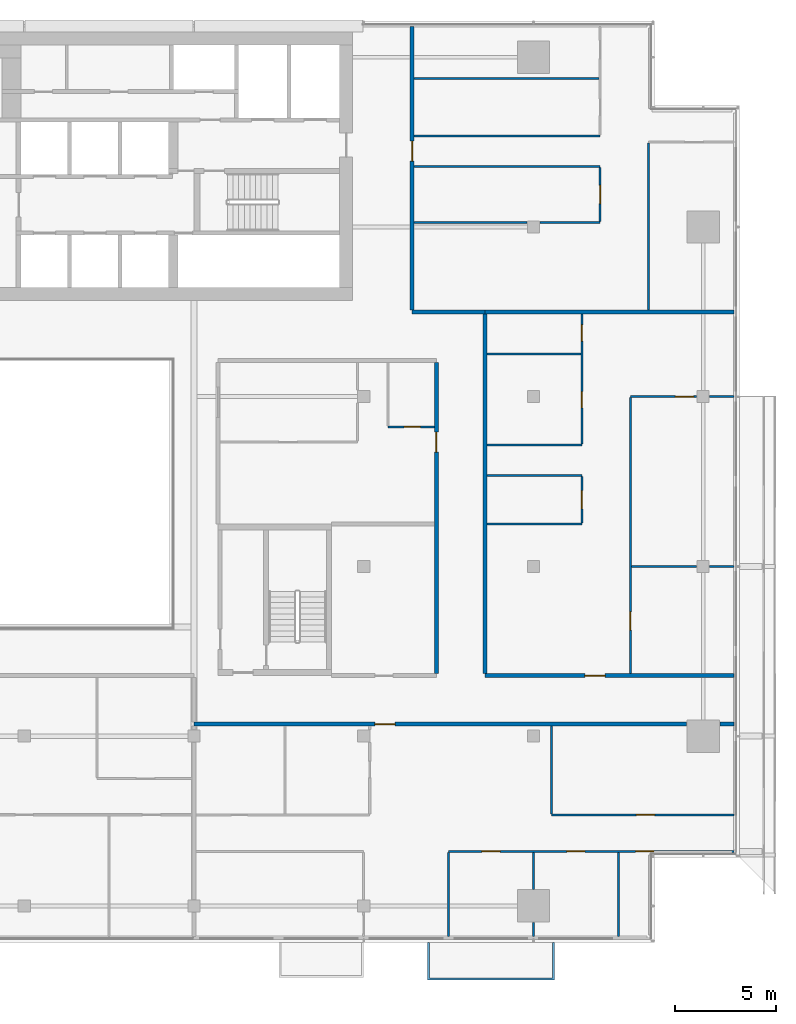
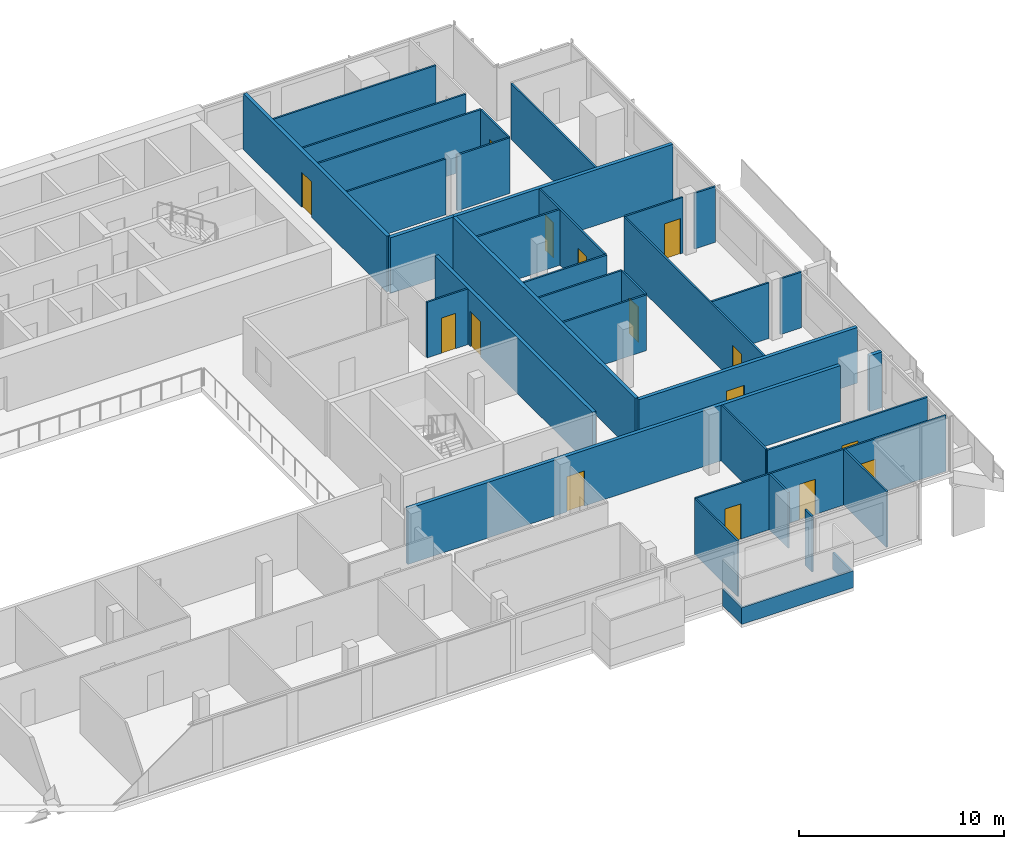
# One storey, part 24 of 29: 35 walls, 15 doors, 15 openings.
"""IFC4 building model written with IfcOpenShell, lengths in metres."""

from ifc_helpers import new_model, si_unit, direction, frame, frame_2d, origin, place, context, subcontext, project, spatial, polyline, rectangle, outline, extrude, material, layer, layer_set, type_object, element, fill, save


model = new_model("IFC4")

# Units and contexts
model_context = context("Model", 3, precision=1e-05, world=origin(), true_north=direction((0.0, 1.0)))
body_context = subcontext(model_context, "Body", "Model", "MODEL_VIEW")
ifc_project = project(units=[si_unit("LENGTHUNIT", "METRE"), si_unit("AREAUNIT", "SQUARE_METRE"), si_unit("VOLUMEUNIT", "CUBIC_METRE"), si_unit("PLANEANGLEUNIT", "RADIAN"), si_unit("MASSUNIT", "GRAM", prefix="KILO")], contexts=[model_context])

# Site, building, storey
site_placement = place(None, origin())
site = spatial("IfcSite", under=ifc_project, at=site_placement, CompositionType="ELEMENT")
building_placement = place(site_placement, origin())
building = spatial("IfcBuilding", under=site, at=building_placement, Name="Saffron Gate Tower", CompositionType="ELEMENT")
storey_placement = place(building_placement, frame((0.0, 0.0, 219.89990234375)))
storey = spatial("IfcBuildingStorey", under=building, at=storey_placement, Name="L53", CompositionType="ELEMENT", Elevation=219.89990234375)

# Wall, openings, doors
ifc_material_1 = material(Name="Plasterboard on steel studs", Category="steel")
ifc_layer_1 = layer(ifc_material_1, 0.10009765625)
ifc_layer_set_1 = layer_set([ifc_layer_1], Name="PW1 Partition 100")
wall_type_1 = type_object("IfcWallType", Name="PW1 Partition 100", PredefinedType="PARTITIONING", material=ifc_layer_set_1)
wall_1_placement = place(storey_placement, frame((126.919921875, 34.5, 0.0), z_axis=(0.0, 0.0, 1.0), x_axis=(-1.0, 0.0, 0.0)))
wall_1 = element("IfcWall", 1, at=wall_1_placement, inside=storey, type_object=wall_type_1, Name="Partition D2-2", PredefinedType="PARTITIONING", context=body_context, shape_type="SweptSolid", body=[
    extrude(rectangle(XDim=14.119873046875, YDim=0.10009765625, at=frame_2d((7.06005859375, 0.0))), origin(), (0.0, 0.0, 1.0), 3.320068359375),
])
opening_1_placement = place(wall_1_placement, frame((3.96630859375, 0.0, 0.0)))
opening_1 = element("IfcOpeningElement", 2, at=opening_1_placement, cuts=wall_1, Name="Opening D2-23", PredefinedType="OPENING", context=body_context, shape_type="SweptSolid", body=[
    extrude(rectangle(XDim=0.89990234375, YDim=2.10009765625, at=frame_2d((0.449951171875, 1.050048828125))), frame((0.0, 0.06005859375, 0.0), z_axis=(0.0, -1.0, 0.0), x_axis=(1.0, 0.0, 0.0)), (0.0, 0.0, 1.0), 0.1201171875),
])
opening_2_placement = place(wall_1_placement, frame((7.3701171875, 0.0, 0.0)))
opening_2 = element("IfcOpeningElement", 3, at=opening_2_placement, cuts=wall_1, Name="Opening D2-22", PredefinedType="OPENING", context=body_context, shape_type="SweptSolid", body=[
    extrude(rectangle(XDim=0.89990234375, YDim=2.10009765625, at=frame_2d((0.449951171875, 1.050048828125))), frame((0.0, 0.06005859375, 0.0), z_axis=(0.0, -1.0, 0.0), x_axis=(1.0, 0.0, 0.0)), (0.0, 0.0, 1.0), 0.1201171875),
])
opening_3_placement = place(wall_1_placement, frame((11.570068359375, 0.0, 0.0)))
opening_3 = element("IfcOpeningElement", 4, at=opening_3_placement, cuts=wall_1, Name="Opening D2-21", PredefinedType="OPENING", context=body_context, shape_type="SweptSolid", body=[
    extrude(rectangle(XDim=0.89990234375, YDim=2.10009765625, at=frame_2d((0.449951171875, 1.050048828125))), frame((0.0, 0.06005859375, 0.0), z_axis=(0.0, -1.0, 0.0), x_axis=(1.0, 0.0, 0.0)), (0.0, 0.0, 1.0), 0.1201171875),
])
ifc_material_2 = material(Name="Timber door set", Category="wood")
door_type_1 = type_object("IfcDoorType", Name="RD1 Room door 900x2100", OperationType="NOTDEFINED", PredefinedType="DOOR", material=ifc_material_2)
door_1_placement = place(opening_1_placement, origin())
door_1 = element("IfcDoor", 5, at=door_1_placement, inside=storey, type_object=door_type_1, Name="Door D2-23", OperationType="SINGLE_SWING_RIGHT", OverallHeight=2.10009765625, OverallWidth=0.89990234375, PredefinedType="DOOR", context=body_context, shape_type="SweptSolid", body=[
    extrude(rectangle(XDim=0.89990234375, YDim=2.10009765625, at=frame_2d((0.449951171875, 1.050048828125))), frame((0.0, 0.02490234375, 0.0), z_axis=(0.0, -1.0, 0.0), x_axis=(1.0, 0.0, 0.0)), (0.0, 0.0, 1.0), 0.050048828125),
])
fill(opening_1, door_1)
door_2_placement = place(opening_2_placement, origin())
door_2 = element("IfcDoor", 6, at=door_2_placement, inside=storey, type_object=door_type_1, Name="Door D2-22", OperationType="SINGLE_SWING_RIGHT", OverallHeight=2.10009765625, OverallWidth=0.89990234375, PredefinedType="DOOR", context=body_context, shape_type="SweptSolid", body=[
    extrude(rectangle(XDim=0.89990234375, YDim=2.10009765625, at=frame_2d((0.449951171875, 1.050048828125))), frame((0.0, 0.02490234375, 0.0), z_axis=(0.0, -1.0, 0.0), x_axis=(1.0, 0.0, 0.0)), (0.0, 0.0, 1.0), 0.050048828125),
])
fill(opening_2, door_2)
door_3_placement = place(opening_3_placement, origin())
door_3 = element("IfcDoor", 7, at=door_3_placement, inside=storey, type_object=door_type_1, Name="Door D2-21", OperationType="SINGLE_SWING_LEFT", OverallHeight=2.10009765625, OverallWidth=0.89990234375, PredefinedType="DOOR", context=body_context, shape_type="SweptSolid", body=[
    extrude(rectangle(XDim=0.89990234375, YDim=2.10009765625, at=frame_2d((0.449951171875, 1.050048828125))), frame((0.0, 0.02490234375, 0.0), z_axis=(0.0, -1.0, 0.0), x_axis=(1.0, 0.0, 0.0)), (0.0, 0.0, 1.0), 0.050048828125),
])
fill(opening_3, door_3)

# Wall, opening, door
wall_2_placement = place(storey_placement, frame((117.89990234375, 36.300048828125, 0.0), z_axis=(0.0, 0.0, 1.0), x_axis=(1.0, 0.0, 0.0)))
wall_2 = element("IfcWall", 8, at=wall_2_placement, inside=storey, type_object=wall_type_1, Name="Partition D2-4", PredefinedType="PARTITIONING", context=body_context, shape_type="SweptSolid", body=[
    extrude(rectangle(XDim=9.02001953125, YDim=0.10009765625, at=frame_2d((4.510009765625, 0.0))), origin(), (0.0, 0.0, 1.0), 3.320068359375),
])
opening_4_placement = place(wall_2_placement, frame((4.199951171875, 0.0, 0.0)))
opening_4 = element("IfcOpeningElement", 9, at=opening_4_placement, cuts=wall_2, Name="Opening D2-24", PredefinedType="OPENING", context=body_context, shape_type="SweptSolid", body=[
    extrude(rectangle(XDim=0.89990234375, YDim=2.10009765625, at=frame_2d((0.449951171875, 1.050048828125))), frame((0.0, 0.06005859375, 0.0), z_axis=(0.0, -1.0, 0.0), x_axis=(1.0, 0.0, 0.0)), (0.0, 0.0, 1.0), 0.1201171875),
])
door_4_placement = place(opening_4_placement, origin())
door_4 = element("IfcDoor", 10, at=door_4_placement, inside=storey, type_object=door_type_1, Name="Door D2-24", OperationType="SINGLE_SWING_RIGHT", OverallHeight=2.10009765625, OverallWidth=0.89990234375, PredefinedType="DOOR", context=body_context, shape_type="SweptSolid", body=[
    extrude(rectangle(XDim=0.89990234375, YDim=2.10009765625, at=frame_2d((0.449951171875, 1.050048828125))), frame((0.0, 0.02490234375, 0.0), z_axis=(0.0, -1.0, 0.0), x_axis=(1.0, 0.0, 0.0)), (0.0, 0.0, 1.0), 0.050048828125),
])
fill(opening_4, door_4)

# Walls
wall_3_placement = place(storey_placement, frame((121.85009765625, 48.60009765625, 0.0), z_axis=(0.0, 0.0, 1.0), x_axis=(1.0, 0.0, 0.0)))
element("IfcWall", 11, at=wall_3_placement, inside=storey, type_object=wall_type_1, Name="Partition D2-21", PredefinedType="PARTITIONING", context=body_context, shape_type="SweptSolid", body=[
    extrude(rectangle(XDim=3.22998046875, YDim=0.10009765625, at=frame_2d((1.614990234375, 0.0))), origin(), (0.0, 0.0, 1.0), 3.320068359375),
])
wall_4_placement = place(storey_placement, frame((125.719970703125, 48.60009765625, 0.0), z_axis=(0.0, 0.0, 1.0), x_axis=(1.0, 0.0, 0.0)))
element("IfcWall", 12, at=wall_4_placement, inside=storey, type_object=wall_type_1, Name="Partition D2-22", PredefinedType="PARTITIONING", context=body_context, shape_type="SweptSolid", body=[
    extrude(rectangle(XDim=1.199951171875, YDim=0.10009765625, at=frame_2d((0.60009765625, 0.0))), origin(), (0.0, 0.0, 1.0), 3.320068359375),
])
for number, where, z_axis, x_axis, name in (
    (13, (114.699951171875, 50.699951171875, 0.0), (0.0, 0.0, 1.0), (1.0, 0.0, 0.0), "Partition D2-26"),
    (14, (114.699951171875, 53.10009765625, 0.0), (0.0, 0.0, 1.0), (1.0, 0.0, 0.0), "Partition D2-28"),
    (15, (114.699951171875, 54.60009765625, 0.0), (0.0, 0.0, 1.0), (1.0, 0.0, 0.0), "Partition D2-29"),
):
    element("IfcWall", number, at=place(storey_placement, frame(where, z_axis=z_axis, x_axis=x_axis)), inside=storey, type_object=wall_type_1, Name=name, PredefinedType="PARTITIONING", context=body_context, shape_type="SweptSolid", body=[
        extrude(rectangle(XDim=4.699951171875, YDim=0.10009765625, at=frame_2d((2.35009765625, 0.0))), origin(), (0.0, 0.0, 1.0), 3.320068359375),
    ])

# Wall, opening, door
wall_5_placement = place(storey_placement, frame((109.800048828125, 55.5, 0.0), z_axis=(0.0, 0.0, 1.0), x_axis=(1.0, 0.0, 0.0)))
wall_5 = element("IfcWall", 16, at=wall_5_placement, inside=storey, type_object=wall_type_1, Name="Partition D2-33", PredefinedType="PARTITIONING", context=body_context, shape_type="SweptSolid", body=[
    extrude(rectangle(XDim=2.300048828125, YDim=0.10009765625, at=frame_2d((1.14990234375, 0.0))), origin(), (0.0, 0.0, 1.0), 3.320068359375),
])
opening_5_placement = place(wall_5_placement, frame((0.800048828125, 0.0, 0.0)))
opening_5 = element("IfcOpeningElement", 17, at=opening_5_placement, cuts=wall_5, Name="Opening D2-53", PredefinedType="OPENING", context=body_context, shape_type="SweptSolid", body=[
    extrude(rectangle(XDim=0.800048828125, YDim=2.10009765625, at=frame_2d((0.39990234375, 1.050048828125))), frame((0.0, 0.06005859375, 0.0), z_axis=(0.0, -1.0, 0.0), x_axis=(1.0, 0.0, 0.0)), (0.0, 0.0, 1.0), 0.1201171875),
])
door_type_2 = type_object("IfcDoorType", Name="RD2 Bathroom door 800x2100", OperationType="NOTDEFINED", PredefinedType="DOOR", material=ifc_material_2)
door_5_placement = place(opening_5_placement, origin())
door_5 = element("IfcDoor", 18, at=door_5_placement, inside=storey, type_object=door_type_2, Name="Door D2-53", OperationType="SINGLE_SWING_RIGHT", OverallHeight=2.10009765625, OverallWidth=0.800048828125, PredefinedType="DOOR", context=body_context, shape_type="SweptSolid", body=[
    extrude(rectangle(XDim=0.800048828125, YDim=2.10009765625, at=frame_2d((0.39990234375, 1.050048828125))), frame((0.0, 0.02490234375, 0.0), z_axis=(0.0, -1.0, 0.0), x_axis=(1.0, 0.0, 0.0)), (0.0, 0.0, 1.0), 0.050048828125),
])
fill(opening_5, door_5)

wall_6_placement = place(storey_placement, frame((125.080078125, 57.0, 0.0), z_axis=(0.0, 0.0, 1.0), x_axis=(-1.0, 0.0, 0.0)))
wall_6 = element("IfcWall", 19, at=wall_6_placement, inside=storey, type_object=wall_type_1, Name="Partition D2-34", PredefinedType="PARTITIONING", context=body_context, shape_type="SweptSolid", body=[
    extrude(rectangle(XDim=3.280029296875, YDim=0.10009765625, at=frame_2d((1.64013671875, 0.0))), origin(), (0.0, 0.0, 1.0), 3.320068359375),
])
opening_6_placement = place(wall_6_placement, frame((0.14990234375, 0.0, 0.0)))
opening_6 = element("IfcOpeningElement", 20, at=opening_6_placement, cuts=wall_6, Name="Opening D2-32", PredefinedType="OPENING", context=body_context, shape_type="SweptSolid", body=[
    extrude(rectangle(XDim=0.89990234375, YDim=2.10009765625, at=frame_2d((0.449951171875, 1.050048828125))), frame((0.0, 0.06005859375, 0.0), z_axis=(0.0, -1.0, 0.0), x_axis=(1.0, 0.0, 0.0)), (0.0, 0.0, 1.0), 0.1201171875),
])
door_6_placement = place(opening_6_placement, origin())
door_6 = element("IfcDoor", 21, at=door_6_placement, inside=storey, type_object=door_type_1, Name="Door D2-32", OperationType="SINGLE_SWING_LEFT", OverallHeight=2.10009765625, OverallWidth=0.89990234375, PredefinedType="DOOR", context=body_context, shape_type="SweptSolid", body=[
    extrude(rectangle(XDim=0.89990234375, YDim=2.10009765625, at=frame_2d((0.449951171875, 1.050048828125))), frame((0.0, 0.02490234375, 0.0), z_axis=(0.0, -1.0, 0.0), x_axis=(1.0, 0.0, 0.0)), (0.0, 0.0, 1.0), 0.050048828125),
])
fill(opening_6, door_6)

# Walls
wall_7_placement = place(storey_placement, frame((125.719970703125, 57.0, 0.0), z_axis=(0.0, 0.0, 1.0), x_axis=(1.0, 0.0, 0.0)))
element("IfcWall", 22, at=wall_7_placement, inside=storey, type_object=wall_type_1, Name="Partition D2-35", PredefinedType="PARTITIONING", context=body_context, shape_type="SweptSolid", body=[
    extrude(rectangle(XDim=1.199951171875, YDim=0.10009765625, at=frame_2d((0.60009765625, 0.0))), origin(), (0.0, 0.0, 1.0), 3.320068359375),
])
wall_8_placement = place(storey_placement, frame((114.699951171875, 59.10009765625, 0.0), z_axis=(0.0, 0.0, 1.0), x_axis=(1.0, 0.0, 0.0)))
element("IfcWall", 23, at=wall_8_placement, inside=storey, type_object=wall_type_1, Name="Partition D2-39", PredefinedType="PARTITIONING", context=body_context, shape_type="SweptSolid", body=[
    extrude(rectangle(XDim=4.650146484375, YDim=0.10009765625, at=frame_2d((2.3251953125, 0.0))), origin(), (0.0, 0.0, 1.0), 3.320068359375),
])
wall_9_placement = place(storey_placement, frame((111.10009765625, 65.608642578125, 0.0), z_axis=(0.0, 0.0, 1.0), x_axis=(1.0, 0.0, 0.0)))
element("IfcWall", 24, at=wall_9_placement, inside=storey, type_object=wall_type_1, Name="Partition D2-46", PredefinedType="PARTITIONING", context=body_context, shape_type="SweptSolid", body=[
    extrude(rectangle(XDim=5.579833984375, YDim=0.10009765625, at=frame_2d((2.7900390625, 0.0))), origin(), (0.0, 0.0, 1.0), 3.320068359375),
])
wall_10_placement = place(storey_placement, frame((117.320068359375, 65.608642578125, 0.0), z_axis=(0.0, 0.0, 1.0), x_axis=(1.0, 0.0, 0.0)))
element("IfcWall", 25, at=wall_10_placement, inside=storey, type_object=wall_type_1, Name="Partition D2-47", PredefinedType="PARTITIONING", context=body_context, shape_type="SweptSolid", body=[
    extrude(rectangle(XDim=2.97998046875, YDim=0.10009765625, at=frame_2d((1.489990234375, 0.0))), origin(), (0.0, 0.0, 1.0), 3.320068359375),
])
for number, where, z_axis, x_axis, name in (
    (26, (111.10009765625, 68.39990234375, 0.0), (0.0, 0.0, 1.0), (1.0, 0.0, 0.0), "Partition D2-49"),
    (27, (111.10009765625, 69.89990234375, 0.0), (0.0, 0.0, 1.0), (1.0, 0.0, 0.0), "Partition D2-53"),
):
    element("IfcWall", number, at=place(storey_placement, frame(where, z_axis=z_axis, x_axis=x_axis)), inside=storey, type_object=wall_type_1, Name=name, PredefinedType="PARTITIONING", context=body_context, shape_type="SweptSolid", body=[
        extrude(rectangle(XDim=9.199951171875, YDim=0.10009765625, at=frame_2d((4.60009765625, 0.0))), origin(), (0.0, 0.0, 1.0), 3.320068359375),
    ])
wall_11_placement = place(storey_placement, frame((111.10009765625, 72.74951171875, 0.0), z_axis=(0.0, 0.0, 1.0), x_axis=(1.0, 0.0, 0.0)))
element("IfcWall", 28, at=wall_11_placement, inside=storey, type_object=wall_type_1, Name="Partition D2-55", PredefinedType="PARTITIONING", context=body_context, shape_type="SweptSolid", body=[
    extrude(rectangle(XDim=9.14990234375, YDim=0.10009765625, at=frame_2d((4.574951171875, 0.0))), origin(), (0.0, 0.0, 1.0), 3.320068359375),
])
wall_12_placement = place(storey_placement, frame((112.800048828125, 34.449951171875, 0.0), z_axis=(0.0, 0.0, 1.0), x_axis=(0.0, -1.0, 0.0)))
element("IfcWall", 29, at=wall_12_placement, inside=storey, type_object=wall_type_1, Name="Partition D2-105", PredefinedType="PARTITIONING", context=body_context, shape_type="SweptSolid", body=[
    extrude(rectangle(XDim=4.169921875, YDim=0.10009765625, at=frame_2d((2.0849609375, 0.0))), origin(), (0.0, 0.0, 1.0), 3.320068359375),
])
wall_13_placement = place(storey_placement, frame((117.0, 30.97998046875, 0.0), z_axis=(0.0, 0.0, 1.0), x_axis=(0.0, -1.0, 0.0)))
element("IfcWall", 30, at=wall_13_placement, inside=storey, type_object=wall_type_1, Name="Partition D2-107", PredefinedType="PARTITIONING", context=body_context, shape_type="SweptSolid", body=[
    extrude(rectangle(XDim=0.699951171875, YDim=0.10009765625, at=frame_2d((0.35009765625, 0.0))), origin(), (0.0, 0.0, 1.0), 3.320068359375),
])
wall_14_placement = place(storey_placement, frame((117.0, 34.449951171875, 0.0), z_axis=(0.0, 0.0, 1.0), x_axis=(0.0, -1.0, 0.0)))
element("IfcWall", 31, at=wall_14_placement, inside=storey, type_object=wall_type_1, Name="Partition D2-108", PredefinedType="PARTITIONING", context=body_context, shape_type="SweptSolid", body=[
    extrude(rectangle(XDim=1.829833984375, YDim=0.10009765625, at=frame_2d((0.9150390625, 0.0))), origin(), (0.0, 0.0, 1.0), 3.320068359375),
])
wall_15_placement = place(storey_placement, frame((117.89990234375, 40.699951171875, 0.0), z_axis=(0.0, 0.0, 1.0), x_axis=(0.0, -1.0, 0.0)))
element("IfcWall", 32, at=wall_15_placement, inside=storey, type_object=wall_type_1, Name="Partition D2-109", PredefinedType="PARTITIONING", context=body_context, shape_type="SweptSolid", body=[
    extrude(rectangle(XDim=4.349853515625, YDim=0.10009765625, at=frame_2d((2.1748046875, 0.0))), origin(), (0.0, 0.0, 1.0), 3.320068359375),
])

# Wall, opening, door
wall_16_placement = place(storey_placement, frame((119.39990234375, 50.75, 0.0), z_axis=(0.0, 0.0, 1.0), x_axis=(0.0, 1.0, 0.0)))
wall_16 = element("IfcWall", 33, at=wall_16_placement, inside=storey, type_object=wall_type_1, Name="Partition D2-110", PredefinedType="PARTITIONING", context=body_context, shape_type="SweptSolid", body=[
    extrude(rectangle(XDim=2.300048828125, YDim=0.10009765625, at=frame_2d((1.14990234375, 0.0))), origin(), (0.0, 0.0, 1.0), 3.320068359375),
])
opening_7_placement = place(wall_16_placement, frame((0.699951171875, 0.0, 0.0)))
opening_7 = element("IfcOpeningElement", 34, at=opening_7_placement, cuts=wall_16, Name="Opening D2-33", PredefinedType="OPENING", context=body_context, shape_type="SweptSolid", body=[
    extrude(rectangle(XDim=0.89990234375, YDim=2.10009765625, at=frame_2d((0.449951171875, 1.050048828125))), frame((0.0, 0.06005859375, 0.0), z_axis=(0.0, -1.0, 0.0), x_axis=(1.0, 0.0, 0.0)), (0.0, 0.0, 1.0), 0.1201171875),
])
door_7_placement = place(opening_7_placement, origin())
door_7 = element("IfcDoor", 35, at=door_7_placement, inside=storey, type_object=door_type_1, Name="Door D2-33", OperationType="SINGLE_SWING_LEFT", OverallHeight=2.10009765625, OverallWidth=0.89990234375, PredefinedType="DOOR", context=body_context, shape_type="SweptSolid", body=[
    extrude(rectangle(XDim=0.89990234375, YDim=2.10009765625, at=frame_2d((0.449951171875, 1.050048828125))), frame((0.0, 0.02490234375, 0.0), z_axis=(0.0, -1.0, 0.0), x_axis=(1.0, 0.0, 0.0)), (0.0, 0.0, 1.0), 0.050048828125),
])
fill(opening_7, door_7)

# Wall, openings, doors
wall_17_placement = place(storey_placement, frame((119.39990234375, 54.64990234375, 0.0), z_axis=(0.0, 0.0, 1.0), x_axis=(0.0, 1.0, 0.0)))
wall_17 = element("IfcWall", 36, at=wall_17_placement, inside=storey, type_object=wall_type_1, Name="Partition D2-111", PredefinedType="PARTITIONING", context=body_context, shape_type="SweptSolid", body=[
    extrude(rectangle(XDim=6.4501953125, YDim=0.10009765625, at=frame_2d((3.22509765625, 0.0))), origin(), (0.0, 0.0, 1.0), 3.320068359375),
])
opening_8_placement = place(wall_17_placement, frame((1.800048828125, 0.0, 0.0)))
opening_8 = element("IfcOpeningElement", 37, at=opening_8_placement, cuts=wall_17, Name="Opening D2-49", PredefinedType="OPENING", context=body_context, shape_type="SweptSolid", body=[
    extrude(rectangle(XDim=0.800048828125, YDim=2.10009765625, at=frame_2d((0.39990234375, 1.050048828125))), frame((0.0, 0.06005859375, 0.0), z_axis=(0.0, -1.0, 0.0), x_axis=(1.0, 0.0, 0.0)), (0.0, 0.0, 1.0), 0.1201171875),
])
opening_9_placement = place(wall_17_placement, frame((5.10009765625, 0.0, 0.0)))
opening_9 = element("IfcOpeningElement", 38, at=opening_9_placement, cuts=wall_17, Name="Opening D2-50", PredefinedType="OPENING", context=body_context, shape_type="SweptSolid", body=[
    extrude(rectangle(XDim=0.800048828125, YDim=2.10009765625, at=frame_2d((0.39990234375, 1.050048828125))), frame((0.0, 0.06005859375, 0.0), z_axis=(0.0, -1.0, 0.0), x_axis=(1.0, 0.0, 0.0)), (0.0, 0.0, 1.0), 0.1201171875),
])
door_8_placement = place(opening_8_placement, origin())
door_8 = element("IfcDoor", 39, at=door_8_placement, inside=storey, type_object=door_type_2, Name="Door D2-49", OperationType="SINGLE_SWING_LEFT", OverallHeight=2.10009765625, OverallWidth=0.800048828125, PredefinedType="DOOR", context=body_context, shape_type="SweptSolid", body=[
    extrude(rectangle(XDim=0.800048828125, YDim=2.10009765625, at=frame_2d((0.39990234375, 1.050048828125))), frame((0.0, 0.02490234375, 0.0), z_axis=(0.0, -1.0, 0.0), x_axis=(1.0, 0.0, 0.0)), (0.0, 0.0, 1.0), 0.050048828125),
])
fill(opening_8, door_8)
door_9_placement = place(opening_9_placement, origin())
door_9 = element("IfcDoor", 40, at=door_9_placement, inside=storey, type_object=door_type_2, Name="Door D2-50", OperationType="SINGLE_SWING_RIGHT", OverallHeight=2.10009765625, OverallWidth=0.800048828125, PredefinedType="DOOR", context=body_context, shape_type="SweptSolid", body=[
    extrude(rectangle(XDim=0.800048828125, YDim=2.10009765625, at=frame_2d((0.39990234375, 1.050048828125))), frame((0.0, 0.02490234375, 0.0), z_axis=(0.0, -1.0, 0.0), x_axis=(1.0, 0.0, 0.0)), (0.0, 0.0, 1.0), 0.050048828125),
])
fill(opening_9, door_9)

# Wall, opening, door
wall_18_placement = place(storey_placement, frame((120.300048828125, 65.65869140625, 0.0), z_axis=(0.0, 0.0, 1.0), x_axis=(0.0, 1.0, 0.0)))
wall_18 = element("IfcWall", 41, at=wall_18_placement, inside=storey, type_object=wall_type_1, Name="Partition D2-112", PredefinedType="PARTITIONING", context=body_context, shape_type="SweptSolid", body=[
    extrude(rectangle(XDim=2.69140625, YDim=0.10009765625, at=frame_2d((1.345703125, 0.0))), origin(), (0.0, 0.0, 1.0), 3.320068359375),
])
opening_10_placement = place(wall_18_placement, frame((0.895751953125, 0.0, 0.0)))
opening_10 = element("IfcOpeningElement", 42, at=opening_10_placement, cuts=wall_18, Name="Opening D2-35", PredefinedType="OPENING", context=body_context, shape_type="SweptSolid", body=[
    extrude(rectangle(XDim=0.89990234375, YDim=2.10009765625, at=frame_2d((0.449951171875, 1.050048828125))), frame((0.0, 0.06005859375, 0.0), z_axis=(0.0, -1.0, 0.0), x_axis=(1.0, 0.0, 0.0)), (0.0, 0.0, 1.0), 0.1201171875),
])
door_10_placement = place(opening_10_placement, origin())
door_10 = element("IfcDoor", 43, at=door_10_placement, inside=storey, type_object=door_type_1, Name="Door D2-35", OperationType="SINGLE_SWING_LEFT", OverallHeight=2.10009765625, OverallWidth=0.89990234375, PredefinedType="DOOR", context=body_context, shape_type="SweptSolid", body=[
    extrude(rectangle(XDim=0.89990234375, YDim=2.10009765625, at=frame_2d((0.449951171875, 1.050048828125))), frame((0.0, 0.02490234375, 0.0), z_axis=(0.0, -1.0, 0.0), x_axis=(1.0, 0.0, 0.0)), (0.0, 0.0, 1.0), 0.050048828125),
])
fill(opening_10, door_10)

# Wall
wall_19_placement = place(storey_placement, frame((121.199951171875, 34.449951171875, 0.0), z_axis=(0.0, 0.0, 1.0), x_axis=(0.0, -1.0, 0.0)))
element("IfcWall", 44, at=wall_19_placement, inside=storey, type_object=wall_type_1, Name="Partition D2-114", PredefinedType="PARTITIONING", context=body_context, shape_type="SweptSolid", body=[
    extrude(rectangle(XDim=4.169921875, YDim=0.10009765625, at=frame_2d((2.0849609375, 0.0))), origin(), (0.0, 0.0, 1.0), 3.320068359375),
])

# Wall, opening, door
wall_20_placement = place(storey_placement, frame((121.800048828125, 56.949951171875, 0.0), z_axis=(0.0, 0.0, 1.0), x_axis=(0.0, -1.0, 0.0)))
wall_20 = element("IfcWall", 45, at=wall_20_placement, inside=storey, type_object=wall_type_1, Name="Partition D2-115", PredefinedType="PARTITIONING", context=body_context, shape_type="SweptSolid", body=[
    extrude(rectangle(XDim=13.64990234375, YDim=0.10009765625, at=frame_2d((6.824951171875, 0.0))), origin(), (0.0, 0.0, 1.0), 3.320068359375),
])
opening_11_placement = place(wall_20_placement, frame((10.60009765625, 0.0, 0.0)))
opening_11 = element("IfcOpeningElement", 46, at=opening_11_placement, cuts=wall_20, Name="Opening D2-31", PredefinedType="OPENING", context=body_context, shape_type="SweptSolid", body=[
    extrude(rectangle(XDim=0.89990234375, YDim=2.10009765625, at=frame_2d((0.449951171875, 1.050048828125))), frame((0.0, 0.06005859375, 0.0), z_axis=(0.0, -1.0, 0.0), x_axis=(1.0, 0.0, 0.0)), (0.0, 0.0, 1.0), 0.1201171875),
])
door_11_placement = place(opening_11_placement, origin())
door_11 = element("IfcDoor", 47, at=door_11_placement, inside=storey, type_object=door_type_1, Name="Door D2-31", OperationType="SINGLE_SWING_RIGHT", OverallHeight=2.10009765625, OverallWidth=0.89990234375, PredefinedType="DOOR", context=body_context, shape_type="SweptSolid", body=[
    extrude(rectangle(XDim=0.89990234375, YDim=2.10009765625, at=frame_2d((0.449951171875, 1.050048828125))), frame((0.0, 0.02490234375, 0.0), z_axis=(0.0, -1.0, 0.0), x_axis=(1.0, 0.0, 0.0)), (0.0, 0.0, 1.0), 0.050048828125),
])
fill(opening_11, door_11)

# Walls
wall_21_placement = place(storey_placement, frame((122.699951171875, 69.550048828125, 0.0), z_axis=(0.0, 0.0, 1.0), x_axis=(0.0, -1.0, 0.0)))
element("IfcWall", 48, at=wall_21_placement, inside=storey, type_object=wall_type_1, Name="Partition D2-116", PredefinedType="PARTITIONING", context=body_context, shape_type="SweptSolid", body=[
    extrude(rectangle(XDim=8.25, YDim=0.10009765625, at=frame_2d((4.125, 0.0))), origin(), (0.0, 0.0, 1.0), 3.320068359375),
])
ifc_material_3 = material(Name="Clay brick masonry, rendered", Category="masonry")
ifc_layer_2 = layer(ifc_material_3, 0.199951171875)
ifc_layer_set_2 = layer_set([ifc_layer_2], Name="PW2 Demising wall 200")
wall_type_2 = type_object("IfcWallType", Name="PW2 Demising wall 200", PredefinedType="PARTITIONING", material=ifc_layer_set_2)
wall_22_placement = place(storey_placement, frame((114.60009765625, 61.199951171875, 0.0), z_axis=(0.0, 0.0, 1.0), x_axis=(1.0, 0.0, 0.0)))
element("IfcWall", 49, at=wall_22_placement, inside=storey, type_object=wall_type_2, Name="Wall D2-43", PredefinedType="PARTITIONING", context=body_context, shape_type="SweptSolid", body=[
    extrude(rectangle(XDim=12.31982421875, YDim=0.199951171875, at=frame_2d((6.159912109375, 0.0))), origin(), (0.0, 0.0, 1.0), 3.320068359375),
])

# Wall, opening, door
ifc_layer_3 = layer(ifc_material_3, 0.199951171875)
ifc_layer_set_3 = layer_set([ifc_layer_3], Name="PW3 Corridor wall 200")
wall_type_3 = type_object("IfcWallType", Name="PW3 Corridor wall 200", PredefinedType="PARTITIONING", material=ifc_layer_set_3)
wall_23_placement = place(storey_placement, frame((124.580078125, 40.800048828125, 0.0), z_axis=(0.0, 0.0, 1.0), x_axis=(-1.0, 0.0, 0.0)))
wall_23 = element("IfcWall", 50, at=wall_23_placement, inside=storey, type_object=wall_type_3, Name="Wall D2-11", PredefinedType="PARTITIONING", context=body_context, shape_type="SweptSolid", body=[
    extrude(rectangle(XDim=24.380126953125, YDim=0.199951171875, at=frame_2d((12.18994140625, 0.0))), origin(), (0.0, 0.0, 1.0), 3.320068359375),
])
opening_12_placement = place(wall_23_placement, frame((14.429931640625, 0.0, 0.0)))
opening_12 = element("IfcOpeningElement", 51, at=opening_12_placement, cuts=wall_23, Name="Opening D2-3", PredefinedType="OPENING", context=body_context, shape_type="SweptSolid", body=[
    extrude(rectangle(XDim=1.0, YDim=2.10009765625, at=frame_2d((0.5, 1.050048828125))), frame((0.0, 0.10986328125, 0.0), z_axis=(0.0, -1.0, 0.0), x_axis=(1.0, 0.0, 0.0)), (0.0, 0.0, 1.0), 0.219970703125),
])
ifc_material_4 = material(Name="Timber fire door set", Category="wood")
door_type_3 = type_object("IfcDoorType", Name="FD1 Flat entry door 1000x2100", OperationType="NOTDEFINED", PredefinedType="DOOR", material=ifc_material_4)
door_12_placement = place(opening_12_placement, origin())
door_12 = element("IfcDoor", 52, at=door_12_placement, inside=storey, type_object=door_type_3, Name="Door D2-3", OperationType="SINGLE_SWING_RIGHT", OverallHeight=2.10009765625, OverallWidth=1.0, PredefinedType="DOOR", context=body_context, shape_type="SweptSolid", body=[
    extrude(rectangle(XDim=1.0, YDim=2.10009765625, at=frame_2d((0.5, 1.050048828125))), frame((0.0, 0.02490234375, 0.0), z_axis=(0.0, -1.0, 0.0), x_axis=(1.0, 0.0, 0.0)), (0.0, 0.0, 1.0), 0.050048828125),
])
fill(opening_12, door_12)

# Wall
wall_24_placement = place(storey_placement, frame((126.219970703125, 40.800048828125, 0.0), z_axis=(0.0, 0.0, 1.0), x_axis=(1.0, 0.0, 0.0)))
element("IfcWall", 53, at=wall_24_placement, inside=storey, type_object=wall_type_3, Name="Wall D2-12", PredefinedType="PARTITIONING", context=body_context, shape_type="SweptSolid", body=[
    extrude(rectangle(XDim=0.699951171875, YDim=0.199951171875, at=frame_2d((0.35009765625, 0.0))), origin(), (0.0, 0.0, 1.0), 3.320068359375),
])

# Wall, opening, door
wall_25_placement = place(storey_placement, frame((114.60009765625, 43.199951171875, 0.0), z_axis=(0.0, 0.0, 1.0), x_axis=(1.0, 0.0, 0.0)))
wall_25 = element("IfcWall", 54, at=wall_25_placement, inside=storey, type_object=wall_type_3, Name="Wall D2-17", PredefinedType="PARTITIONING", context=body_context, shape_type="SweptSolid", body=[
    extrude(rectangle(XDim=12.31982421875, YDim=0.199951171875, at=frame_2d((6.159912109375, 0.0))), origin(), (0.0, 0.0, 1.0), 3.320068359375),
])
opening_13_placement = place(wall_25_placement, frame((4.949951171875, 0.0, 0.0)))
opening_13 = element("IfcOpeningElement", 55, at=opening_13_placement, cuts=wall_25, Name="Opening D2-6", PredefinedType="OPENING", context=body_context, shape_type="SweptSolid", body=[
    extrude(rectangle(XDim=1.0, YDim=2.10009765625, at=frame_2d((0.5, 1.050048828125))), frame((0.0, 0.10986328125, 0.0), z_axis=(0.0, -1.0, 0.0), x_axis=(1.0, 0.0, 0.0)), (0.0, 0.0, 1.0), 0.219970703125),
])
door_13_placement = place(opening_13_placement, origin())
door_13 = element("IfcDoor", 56, at=door_13_placement, inside=storey, type_object=door_type_3, Name="Door D2-6", OperationType="SINGLE_SWING_LEFT", OverallHeight=2.10009765625, OverallWidth=1.0, PredefinedType="DOOR", context=body_context, shape_type="SweptSolid", body=[
    extrude(rectangle(XDim=1.0, YDim=2.10009765625, at=frame_2d((0.5, 1.050048828125))), frame((0.0, 0.02490234375, 0.0), z_axis=(0.0, -1.0, 0.0), x_axis=(1.0, 0.0, 0.0)), (0.0, 0.0, 1.0), 0.050048828125),
])
fill(opening_13, door_13)

# Wall
wall_26_placement = place(storey_placement, frame((111.0, 61.199951171875, 0.0), z_axis=(0.0, 0.0, 1.0), x_axis=(1.0, 0.0, 0.0)))
element("IfcWall", 57, at=wall_26_placement, inside=storey, type_object=wall_type_3, Name="Wall D2-41", PredefinedType="PARTITIONING", context=body_context, shape_type="SweptSolid", body=[
    extrude(rectangle(XDim=3.60009765625, YDim=0.199951171875, at=frame_2d((1.800048828125, 0.0))), origin(), (0.0, 0.0, 1.0), 3.320068359375),
])

# Wall, opening, door
wall_27_placement = place(storey_placement, frame((111.0, 75.320068359375, 0.0), z_axis=(0.0, 0.0, 1.0), x_axis=(0.0, -1.0, 0.0)))
wall_27 = element("IfcWall", 58, at=wall_27_placement, inside=storey, type_object=wall_type_3, Name="Wall D2-103", PredefinedType="PARTITIONING", context=body_context, shape_type="SweptSolid", body=[
    extrude(rectangle(XDim=14.02001953125, YDim=0.199951171875, at=frame_2d((7.010009765625, 0.0))), origin(), (0.0, 0.0, 1.0), 3.320068359375),
])
opening_14_placement = place(wall_27_placement, frame((5.669921875, 0.0, 0.0)))
opening_14 = element("IfcOpeningElement", 59, at=opening_14_placement, cuts=wall_27, Name="Opening D2-7", PredefinedType="OPENING", context=body_context, shape_type="SweptSolid", body=[
    extrude(rectangle(XDim=1.0, YDim=2.10009765625, at=frame_2d((0.5, 1.050048828125))), frame((0.0, 0.10986328125, 0.0), z_axis=(0.0, -1.0, 0.0), x_axis=(1.0, 0.0, 0.0)), (0.0, 0.0, 1.0), 0.219970703125),
])
door_14_placement = place(opening_14_placement, origin())
door_14 = element("IfcDoor", 60, at=door_14_placement, inside=storey, type_object=door_type_3, Name="Door D2-7", OperationType="SINGLE_SWING_RIGHT", OverallHeight=2.10009765625, OverallWidth=1.0, PredefinedType="DOOR", context=body_context, shape_type="SweptSolid", body=[
    extrude(rectangle(XDim=1.0, YDim=2.10009765625, at=frame_2d((0.5, 1.050048828125))), frame((0.0, 0.02490234375, 0.0), z_axis=(0.0, -1.0, 0.0), x_axis=(1.0, 0.0, 0.0)), (0.0, 0.0, 1.0), 0.050048828125),
])
fill(opening_14, door_14)

wall_28_placement = place(storey_placement, frame((112.199951171875, 43.300048828125, 0.0), z_axis=(0.0, 0.0, 1.0), x_axis=(0.0, 1.0, 0.0)))
wall_28 = element("IfcWall", 61, at=wall_28_placement, inside=storey, type_object=wall_type_3, Name="Wall D2-104", PredefinedType="PARTITIONING", context=body_context, shape_type="SweptSolid", body=[
    extrude(rectangle(XDim=15.39990234375, YDim=0.199951171875, at=frame_2d((7.699951171875, 0.0))), origin(), (0.0, 0.0, 1.0), 3.320068359375),
])
opening_15_placement = place(wall_28_placement, frame((10.949951171875, 0.0, 0.0)))
opening_15 = element("IfcOpeningElement", 62, at=opening_15_placement, cuts=wall_28, Name="Opening D2-9", PredefinedType="OPENING", context=body_context, shape_type="SweptSolid", body=[
    extrude(rectangle(XDim=1.0, YDim=2.10009765625, at=frame_2d((0.5, 1.050048828125))), frame((0.0, 0.10986328125, 0.0), z_axis=(0.0, -1.0, 0.0), x_axis=(1.0, 0.0, 0.0)), (0.0, 0.0, 1.0), 0.219970703125),
])
door_15_placement = place(opening_15_placement, origin())
door_15 = element("IfcDoor", 63, at=door_15_placement, inside=storey, type_object=door_type_3, Name="Door D2-9", OperationType="SINGLE_SWING_RIGHT", OverallHeight=2.10009765625, OverallWidth=1.0, PredefinedType="DOOR", context=body_context, shape_type="SweptSolid", body=[
    extrude(rectangle(XDim=1.0, YDim=2.10009765625, at=frame_2d((0.5, 1.050048828125))), frame((0.0, 0.02490234375, 0.0), z_axis=(0.0, -1.0, 0.0), x_axis=(1.0, 0.0, 0.0)), (0.0, 0.0, 1.0), 0.050048828125),
])
fill(opening_15, door_15)

# Walls
wall_29_placement = place(storey_placement, frame((114.60009765625, 61.10009765625, 0.0), z_axis=(0.0, 0.0, 1.0), x_axis=(0.0, -1.0, 0.0)))
element("IfcWall", 64, at=wall_29_placement, inside=storey, type_object=wall_type_3, Name="Wall D2-106", PredefinedType="PARTITIONING", context=body_context, shape_type="SweptSolid", body=[
    extrude(rectangle(XDim=17.800048828125, YDim=0.199951171875, at=frame_2d((8.89990234375, 0.0))), origin(), (0.0, 0.0, 1.0), 3.320068359375),
])
ifc_material_5 = material(Name="Rendered insulated panel, white")
ifc_layer_4 = layer(ifc_material_5, 0.10009765625)
ifc_layer_set_4 = layer_set([ifc_layer_4], Name="WB3 box parapet white")
wall_type_4 = type_object("IfcWallType", Name="WB3 box parapet white", PredefinedType="SOLIDWALL", material=ifc_layer_set_4)
wall_30_placement = place(storey_placement, origin())
element("IfcWall", 65, at=wall_30_placement, inside=storey, type_object=wall_type_4, Name="WINDOW BOX parapet", PredefinedType="SOLIDWALL", context=body_context, shape_type="SweptSolid", body=[
    extrude(outline(polyline([(111.75, 30.0), (111.85009765625, 30.0), (111.85009765625, 28.23291015625), (117.949951171875, 28.23291015625), (117.949951171875, 30.0), (118.050048828125, 30.0), (118.050048828125, 28.133056640625), (111.75, 28.133056640625), (111.75, 30.0)])), origin(), (0.0, 0.0, 1.0), 1.0),
])

save(model, "model.ifc")
